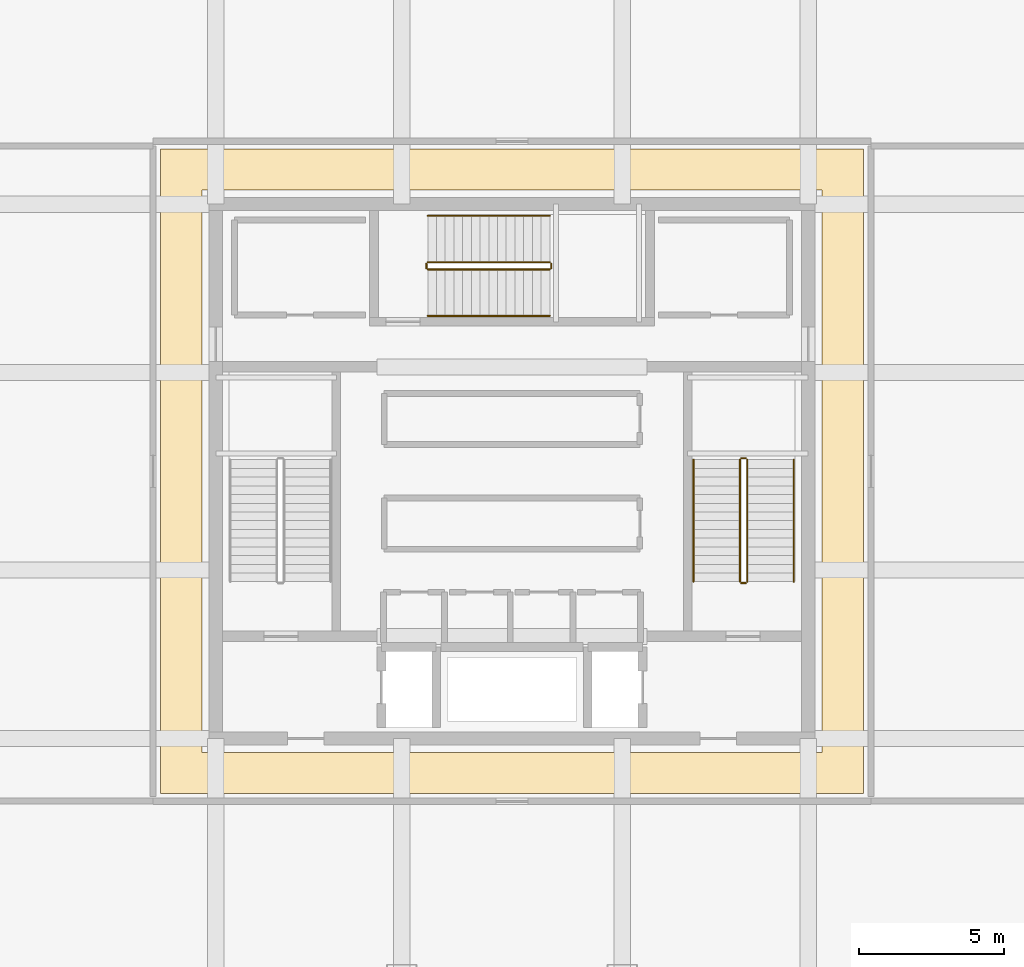
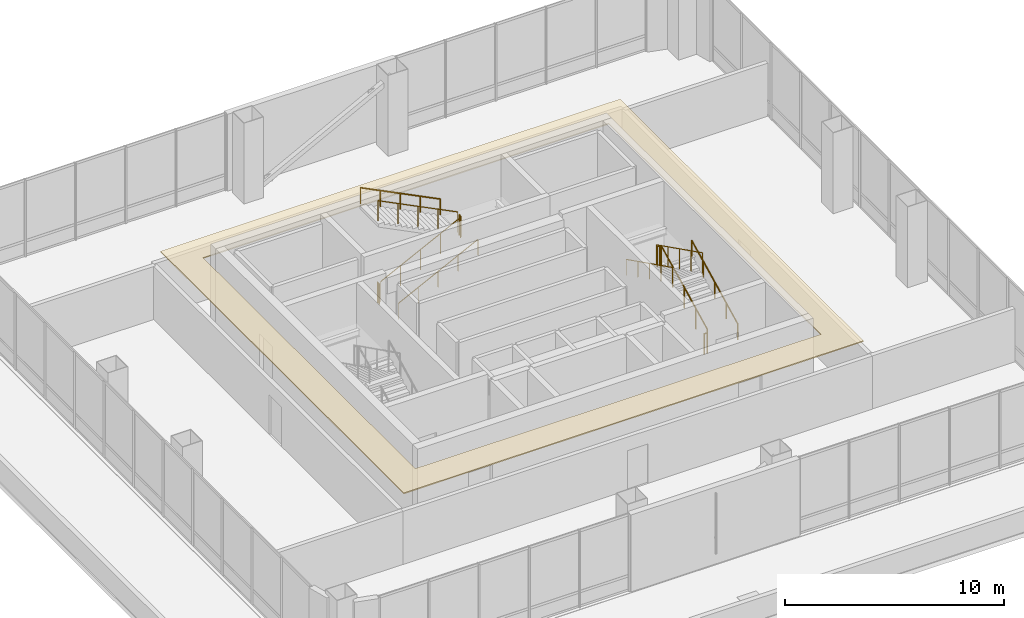
# One storey, part 32 of 33: 12 railings, 1 covering.
"""IFC4 building model written with IfcOpenShell, lengths in metres."""

from ifc_helpers import new_model, si_unit, direction, frame, origin, origin_2d, place, context, subcontext, project, spatial, polyline, circle, outline, extrude, material, layer, layer_set, type_object, element, save


model = new_model("IFC4")

# Units and contexts
model_context = context("Model", 3, precision=1e-05, world=origin(), true_north=direction((0.0, 1.0)))
body_context = subcontext(model_context, "Body", "Model", "MODEL_VIEW")
ifc_project = project(units=[si_unit("LENGTHUNIT", "METRE"), si_unit("AREAUNIT", "SQUARE_METRE"), si_unit("VOLUMEUNIT", "CUBIC_METRE"), si_unit("PLANEANGLEUNIT", "RADIAN"), si_unit("MASSUNIT", "GRAM", prefix="KILO")], contexts=[model_context])

# Site, building, storey
site_placement = place(None, origin())
site = spatial("IfcSite", under=ifc_project, at=site_placement, CompositionType="ELEMENT")
building_placement = place(site_placement, origin())
building = spatial("IfcBuilding", under=site, at=building_placement, Name="Punatoya Terracotta Tower", CompositionType="ELEMENT")
storey_placement = place(building_placement, frame((0.0, 0.0, 343.800048828125)))
storey = spatial("IfcBuildingStorey", under=building, at=storey_placement, Name="L81", CompositionType="ELEMENT", Elevation=343.800048828125)

# Covering
ifc_material_1 = material(Name="Acoustic Mineral Fibre Ceiling")
ifc_layer = layer(ifc_material_1, 0.06005859375)
ifc_layer_set = layer_set([ifc_layer], Name="Acoustic Mineral Fibre Ceiling")
covering_type = type_object("IfcCoveringType", Name="COV-CEIL-60", PredefinedType="CEILING", material=ifc_layer_set)
covering_placement = place(storey_placement, frame((0.0, 0.0, 3.60986328125)))
element("IfcCovering", 1, at=covering_placement, inside=storey, type_object=covering_type, Name="L81 Baradari Crown Plant Ring Corridor Acoustic Ceiling", PredefinedType="CEILING", context=body_context, shape_type="SweptSolid", body=[
    extrude(outline(polyline([(-12.10009765625, 11.10009765625), (-12.10009765625, -11.10009765625), (12.10009765625, -11.10009765625), (12.10009765625, 11.10009765625), (-12.10009765625, 11.10009765625)]), holes=[polyline([(-10.679931640625, 9.679931640625), (10.679931640625, 9.679931640625), (10.679931640625, -9.679931640625), (-10.679931640625, -9.679931640625), (-10.679931640625, 9.679931640625)])]), origin(), (0.0, 0.0, 1.0), 0.06005859375),
])

# Railings
ifc_material_2 = material(Name="Steel S355", Category="steel")
railing_type_1 = type_object("IfcRailingType", Name="RLG-GRD-1150", PredefinedType="GUARDRAIL", material=ifc_material_2)
railing_1_placement = place(storey_placement, frame((8.10009765625, -3.800048828125, 0.14990234375)))
element("IfcRailing", 2, at=railing_1_placement, inside=storey, type_object=railing_type_1, Name="L81 ST-2 stair guard 1", PredefinedType="GUARDRAIL", context=body_context, shape_type="SweptSolid", body=[
    extrude(circle(Radius=0.02392578125, at=origin_2d()), frame((0.0, 0.0, 1.1259765625), z_axis=(0.0, 0.894416792377, 0.447234392142), x_axis=(-1.0, 0.0, 0.0)), (0.0, 0.0, 1.0), 4.69580078125),
    extrude(circle(Radius=0.02099609375, at=origin_2d()), origin(), (0.0, 0.0, 1.0), 1.101806640625),
    extrude(circle(Radius=0.02099609375, at=origin_2d()), frame((0.0, 1.050048828125, 0.52490234375)), (0.0, 0.0, 1.0), 1.101806640625),
    extrude(circle(Radius=0.02099609375, at=origin_2d()), frame((0.0, 2.10009765625, 1.050048828125)), (0.0, 0.0, 1.0), 1.101806640625),
    extrude(circle(Radius=0.02099609375, at=origin_2d()), frame((0.0, 3.14990234375, 1.5751953125)), (0.0, 0.0, 1.0), 1.101806640625),
    extrude(circle(Radius=0.02099609375, at=origin_2d()), frame((0.0, 4.199951171875, 2.10009765625)), (0.0, 0.0, 1.0), 1.101806640625),
])
railing_2_placement = place(storey_placement, frame((8.050048828125, 0.449951171875, 2.25)))
element("IfcRailing", 3, at=railing_2_placement, inside=storey, type_object=railing_type_1, Name="L81 ST-2 stair guard 2", PredefinedType="GUARDRAIL", context=body_context, shape_type="SweptSolid", body=[
    extrude(circle(Radius=0.02392578125, at=origin_2d()), frame((0.0, 0.0, 1.1259765625), z_axis=(-1.0, 0.0, 0.0), x_axis=(0.0, -1.0, 0.0)), (0.0, 0.0, 1.0), 0.150146484375),
    extrude(circle(Radius=0.02099609375, at=origin_2d()), origin(), (0.0, 0.0, 1.0), 1.101806640625),
    extrude(circle(Radius=0.02099609375, at=origin_2d()), frame((-0.150146484375, 0.0, 0.0)), (0.0, 0.0, 1.0), 1.101806640625),
])
railing_3_placement = place(storey_placement, frame((7.85009765625, 0.39990234375, 2.39990234375)))
element("IfcRailing", 4, at=railing_3_placement, inside=storey, type_object=railing_type_1, Name="L81 ST-2 stair guard 3", PredefinedType="GUARDRAIL", context=body_context, shape_type="SweptSolid", body=[
    extrude(circle(Radius=0.02392578125, at=origin_2d()), frame((0.0, 0.0, 1.1259765625), z_axis=(0.0, -0.894416792377, 0.447234392142), x_axis=(1.0, 0.0, 0.0)), (0.0, 0.0, 1.0), 4.69580078125),
    extrude(circle(Radius=0.02099609375, at=origin_2d()), origin(), (0.0, 0.0, 1.0), 1.101806640625),
    extrude(circle(Radius=0.02099609375, at=origin_2d()), frame((0.0, -1.050048828125, 0.52490234375)), (0.0, 0.0, 1.0), 1.101806640625),
    extrude(circle(Radius=0.02099609375, at=origin_2d()), frame((0.0, -2.10009765625, 1.050048828125)), (0.0, 0.0, 1.0), 1.101806640625),
    extrude(circle(Radius=0.02099609375, at=origin_2d()), frame((0.0, -3.14990234375, 1.5751953125)), (0.0, 0.0, 1.0), 1.101806640625),
    extrude(circle(Radius=0.02099609375, at=origin_2d()), frame((0.0, -4.199951171875, 2.10009765625)), (0.0, 0.0, 1.0), 1.101806640625),
])
railing_4_placement = place(storey_placement, frame((8.050048828125, -3.85009765625, 0.0)))
element("IfcRailing", 5, at=railing_4_placement, inside=storey, type_object=railing_type_1, Name="L81 ST-2 stair guard 4", PredefinedType="GUARDRAIL", context=body_context, shape_type="SweptSolid", body=[
    extrude(circle(Radius=0.02392578125, at=origin_2d()), frame((0.0, 0.0, 1.1259765625), z_axis=(-1.0, 0.0, 0.0), x_axis=(0.0, -1.0, 0.0)), (0.0, 0.0, 1.0), 0.150146484375),
    extrude(circle(Radius=0.02099609375, at=origin_2d()), origin(), (0.0, 0.0, 1.0), 1.101806640625),
    extrude(circle(Radius=0.02099609375, at=origin_2d()), frame((-0.150146484375, 0.0, 0.0)), (0.0, 0.0, 1.0), 1.101806640625),
])
railing_5_placement = place(storey_placement, frame((-2.89990234375, 6.949951171875, 0.14990234375)))
element("IfcRailing", 6, at=railing_5_placement, inside=storey, type_object=railing_type_1, Name="L81 ST-3 stair guard 1", PredefinedType="GUARDRAIL", context=body_context, shape_type="SweptSolid", body=[
    extrude(circle(Radius=0.02392578125, at=origin_2d()), frame((0.0, 0.0, 1.1259765625), z_axis=(0.894416792377, 0.0, 0.447234392142), x_axis=(0.0, 1.0, 0.0)), (0.0, 0.0, 1.0), 4.69580078125),
    extrude(circle(Radius=0.02099609375, at=origin_2d()), origin(), (0.0, 0.0, 1.0), 1.101806640625),
    extrude(circle(Radius=0.02099609375, at=origin_2d()), frame((1.050048828125, 0.0, 0.52490234375)), (0.0, 0.0, 1.0), 1.101806640625),
    extrude(circle(Radius=0.02099609375, at=origin_2d()), frame((2.10009765625, 0.0, 1.050048828125)), (0.0, 0.0, 1.0), 1.101806640625),
    extrude(circle(Radius=0.02099609375, at=origin_2d()), frame((3.14990234375, 0.0, 1.5751953125)), (0.0, 0.0, 1.0), 1.101806640625),
    extrude(circle(Radius=0.02099609375, at=origin_2d()), frame((4.199951171875, 0.0, 2.10009765625)), (0.0, 0.0, 1.0), 1.101806640625),
])
railing_6_placement = place(storey_placement, frame((1.35009765625, 7.0, 2.25)))
element("IfcRailing", 7, at=railing_6_placement, inside=storey, type_object=railing_type_1, Name="L81 ST-3 stair guard 2", PredefinedType="GUARDRAIL", context=body_context, shape_type="SweptSolid", body=[
    extrude(circle(Radius=0.02392578125, at=origin_2d()), frame((0.0, 0.0, 1.1259765625), z_axis=(0.0, 1.0, 0.0), x_axis=(-1.0, 0.0, 0.0)), (0.0, 0.0, 1.0), 0.14990234375),
    extrude(circle(Radius=0.02099609375, at=origin_2d()), origin(), (0.0, 0.0, 1.0), 1.101806640625),
    extrude(circle(Radius=0.02099609375, at=origin_2d()), frame((0.0, 0.14990234375, 0.0)), (0.0, 0.0, 1.0), 1.101806640625),
])
railing_7_placement = place(storey_placement, frame((1.300048828125, 7.199951171875, 2.39990234375)))
element("IfcRailing", 8, at=railing_7_placement, inside=storey, type_object=railing_type_1, Name="L81 ST-3 stair guard 3", PredefinedType="GUARDRAIL", context=body_context, shape_type="SweptSolid", body=[
    extrude(circle(Radius=0.02392578125, at=origin_2d()), frame((0.0, 0.0, 1.1259765625), z_axis=(-0.894416792377, 0.0, 0.447234392142), x_axis=(0.0, -1.0, 0.0)), (0.0, 0.0, 1.0), 4.69580078125),
    extrude(circle(Radius=0.02099609375, at=origin_2d()), origin(), (0.0, 0.0, 1.0), 1.101806640625),
    extrude(circle(Radius=0.02099609375, at=origin_2d()), frame((-1.050048828125, 0.0, 0.52490234375)), (0.0, 0.0, 1.0), 1.101806640625),
    extrude(circle(Radius=0.02099609375, at=origin_2d()), frame((-2.10009765625, 0.0, 1.050048828125)), (0.0, 0.0, 1.0), 1.101806640625),
    extrude(circle(Radius=0.02099609375, at=origin_2d()), frame((-3.14990234375, 0.0, 1.5751953125)), (0.0, 0.0, 1.0), 1.101806640625),
    extrude(circle(Radius=0.02099609375, at=origin_2d()), frame((-4.199951171875, 0.0, 2.10009765625)), (0.0, 0.0, 1.0), 1.101806640625),
])
railing_8_placement = place(storey_placement, frame((-2.949951171875, 7.0, 0.0)))
element("IfcRailing", 9, at=railing_8_placement, inside=storey, type_object=railing_type_1, Name="L81 ST-3 stair guard 4", PredefinedType="GUARDRAIL", context=body_context, shape_type="SweptSolid", body=[
    extrude(circle(Radius=0.02392578125, at=origin_2d()), frame((0.0, 0.0, 1.1259765625), z_axis=(0.0, 1.0, 0.0), x_axis=(-1.0, 0.0, 0.0)), (0.0, 0.0, 1.0), 0.14990234375),
    extrude(circle(Radius=0.02099609375, at=origin_2d()), origin(), (0.0, 0.0, 1.0), 1.101806640625),
    extrude(circle(Radius=0.02099609375, at=origin_2d()), frame((0.0, 0.14990234375, 0.0)), (0.0, 0.0, 1.0), 1.101806640625),
])
railing_type_2 = type_object("IfcRailingType", Name="RLG-HND-900", PredefinedType="HANDRAIL", material=ifc_material_2)
railing_9_placement = place(storey_placement, frame((9.699951171875, -3.800048828125, 0.14990234375)))
element("IfcRailing", 10, at=railing_9_placement, inside=storey, type_object=railing_type_2, Name="L81 ST-2 stair handrail 1", PredefinedType="HANDRAIL", context=body_context, shape_type="SweptSolid", body=[
    extrude(circle(Radius=0.02392578125, at=origin_2d()), frame((0.0, 0.0, 0.8759765625), z_axis=(0.0, 0.894416792377, 0.447234392142), x_axis=(-1.0, 0.0, 0.0)), (0.0, 0.0, 1.0), 4.69580078125),
    extrude(circle(Radius=0.02099609375, at=origin_2d()), origin(), (0.0, 0.0, 1.0), 0.851806640625),
    extrude(circle(Radius=0.02099609375, at=origin_2d()), frame((0.0, 1.050048828125, 0.52490234375)), (0.0, 0.0, 1.0), 0.851806640625),
    extrude(circle(Radius=0.02099609375, at=origin_2d()), frame((0.0, 2.10009765625, 1.050048828125)), (0.0, 0.0, 1.0), 0.851806640625),
    extrude(circle(Radius=0.02099609375, at=origin_2d()), frame((0.0, 3.14990234375, 1.5751953125)), (0.0, 0.0, 1.0), 0.851806640625),
    extrude(circle(Radius=0.02099609375, at=origin_2d()), frame((0.0, 4.199951171875, 2.10009765625)), (0.0, 0.0, 1.0), 0.851806640625),
])
railing_10_placement = place(storey_placement, frame((6.25, 0.39990234375, 2.39990234375)))
element("IfcRailing", 11, at=railing_10_placement, inside=storey, type_object=railing_type_2, Name="L81 ST-2 stair handrail 2", PredefinedType="HANDRAIL", context=body_context, shape_type="SweptSolid", body=[
    extrude(circle(Radius=0.02392578125, at=origin_2d()), frame((0.0, 0.0, 0.8759765625), z_axis=(0.0, -0.894416792377, 0.447234392142), x_axis=(1.0, 0.0, 0.0)), (0.0, 0.0, 1.0), 4.69580078125),
    extrude(circle(Radius=0.02099609375, at=origin_2d()), origin(), (0.0, 0.0, 1.0), 0.851806640625),
    extrude(circle(Radius=0.02099609375, at=origin_2d()), frame((0.0, -1.050048828125, 0.52490234375)), (0.0, 0.0, 1.0), 0.851806640625),
    extrude(circle(Radius=0.02099609375, at=origin_2d()), frame((0.0, -2.10009765625, 1.050048828125)), (0.0, 0.0, 1.0), 0.851806640625),
    extrude(circle(Radius=0.02099609375, at=origin_2d()), frame((0.0, -3.14990234375, 1.5751953125)), (0.0, 0.0, 1.0), 0.851806640625),
    extrude(circle(Radius=0.02099609375, at=origin_2d()), frame((0.0, -4.199951171875, 2.10009765625)), (0.0, 0.0, 1.0), 0.851806640625),
])
railing_11_placement = place(storey_placement, frame((-2.89990234375, 5.35009765625, 0.14990234375)))
element("IfcRailing", 12, at=railing_11_placement, inside=storey, type_object=railing_type_2, Name="L81 ST-3 stair handrail 1", PredefinedType="HANDRAIL", context=body_context, shape_type="SweptSolid", body=[
    extrude(circle(Radius=0.02392578125, at=origin_2d()), frame((0.0, 0.0, 0.8759765625), z_axis=(0.894416792377, 0.0, 0.447234392142), x_axis=(0.0, 1.0, 0.0)), (0.0, 0.0, 1.0), 4.69580078125),
    extrude(circle(Radius=0.02099609375, at=origin_2d()), origin(), (0.0, 0.0, 1.0), 0.851806640625),
    extrude(circle(Radius=0.02099609375, at=origin_2d()), frame((1.050048828125, 0.0, 0.52490234375)), (0.0, 0.0, 1.0), 0.851806640625),
    extrude(circle(Radius=0.02099609375, at=origin_2d()), frame((2.10009765625, 0.0, 1.050048828125)), (0.0, 0.0, 1.0), 0.851806640625),
    extrude(circle(Radius=0.02099609375, at=origin_2d()), frame((3.14990234375, 0.0, 1.5751953125)), (0.0, 0.0, 1.0), 0.851806640625),
    extrude(circle(Radius=0.02099609375, at=origin_2d()), frame((4.199951171875, 0.0, 2.10009765625)), (0.0, 0.0, 1.0), 0.851806640625),
])
railing_12_placement = place(storey_placement, frame((1.300048828125, 8.800048828125, 2.39990234375)))
element("IfcRailing", 13, at=railing_12_placement, inside=storey, type_object=railing_type_2, Name="L81 ST-3 stair handrail 2", PredefinedType="HANDRAIL", context=body_context, shape_type="SweptSolid", body=[
    extrude(circle(Radius=0.02392578125, at=origin_2d()), frame((0.0, 0.0, 0.8759765625), z_axis=(-0.894416792377, 0.0, 0.447234392142), x_axis=(0.0, -1.0, 0.0)), (0.0, 0.0, 1.0), 4.69580078125),
    extrude(circle(Radius=0.02099609375, at=origin_2d()), origin(), (0.0, 0.0, 1.0), 0.851806640625),
    extrude(circle(Radius=0.02099609375, at=origin_2d()), frame((-1.050048828125, 0.0, 0.52490234375)), (0.0, 0.0, 1.0), 0.851806640625),
    extrude(circle(Radius=0.02099609375, at=origin_2d()), frame((-2.10009765625, 0.0, 1.050048828125)), (0.0, 0.0, 1.0), 0.851806640625),
    extrude(circle(Radius=0.02099609375, at=origin_2d()), frame((-3.14990234375, 0.0, 1.5751953125)), (0.0, 0.0, 1.0), 0.851806640625),
    extrude(circle(Radius=0.02099609375, at=origin_2d()), frame((-4.199951171875, 0.0, 2.10009765625)), (0.0, 0.0, 1.0), 0.851806640625),
])

save(model, "model.ifc")
